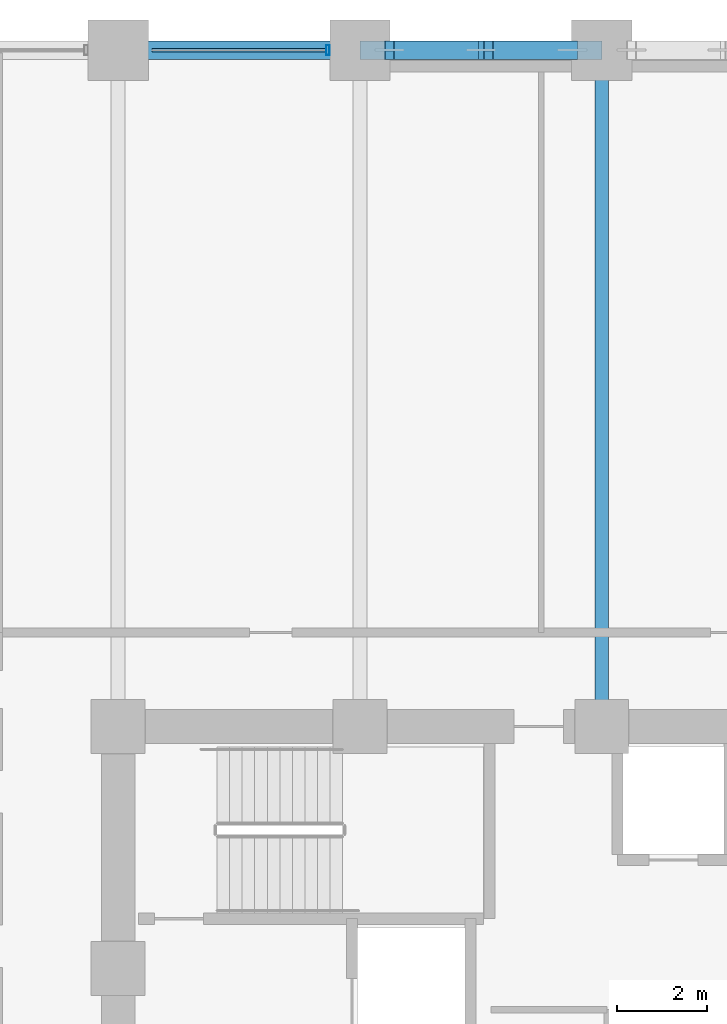
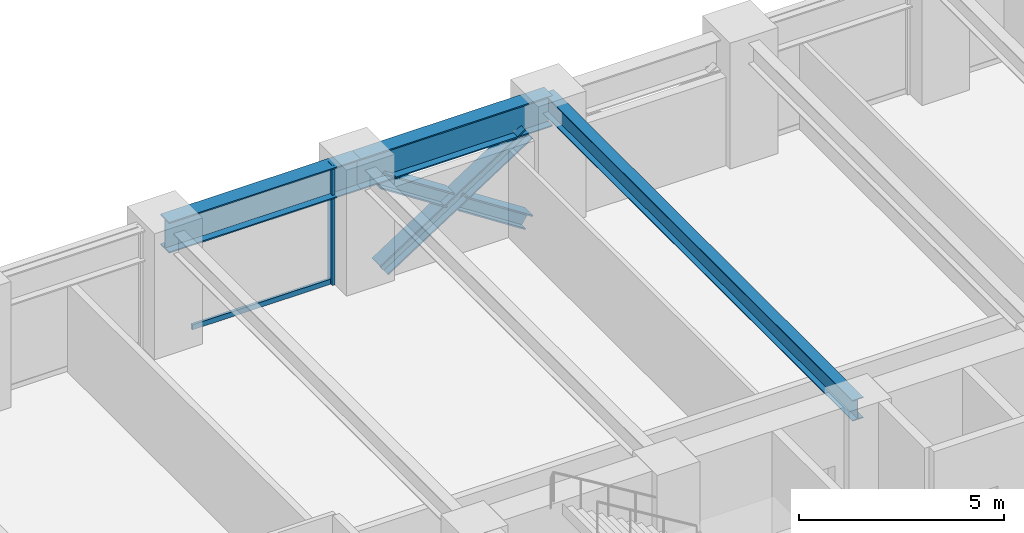
# One storey, part 13 of 25: 5 members, 3 beams, 1 element without a shape of its own.
"""IFC4 building model written with IfcOpenShell, lengths in metres."""

import ifcopenshell
import ifcopenshell.guid

model = None  # the IFC model being written
_history = None  # IfcOwnerHistory: only IFC2X3 demands one
_inside = {}  # id of a spatial element -> (the spatial element, [elements in it])
_under = {}  # id of a project, library or spatial element -> (it, [spatial elements below it])
_declared = {}  # id of a project -> (the project, [libraries it declares])
_typed = {}  # id of a type object -> (the type object, [elements of that type])
_made_of = {}  # id of a material, layer set ... -> (it, [elements and type objects made of it])


def new_model(schema):
    """Start an empty IFC model of exactly this schema.

    Asked for "IFC4X3", IfcOpenShell would pick the latest addendum, in which some entities
    have other attributes; the version numbers below select the first issue.
    IFC2X3 requires an IfcOwnerHistory on every rooted entity: one is made here for all.
    """
    global model, _history
    if schema == "IFC4X3":
        model = ifcopenshell.file(schema_version=(4, 3, 0, 0))
    else:
        model = ifcopenshell.file(schema=schema)
    _inside.clear()
    _under.clear()
    _declared.clear()
    _typed.clear()
    _made_of.clear()
    _history = None
    if model.schema == "IFC2X3":
        org = make("IfcOrganization", Name="unknown")
        user = make(
            "IfcPersonAndOrganization",
            ThePerson=make("IfcPerson", FamilyName="unknown"),
            TheOrganization=org,
        )
        app = make(
            "IfcApplication",
            ApplicationDeveloper=org,
            Version="unknown",
            ApplicationFullName="unknown",
            ApplicationIdentifier="unknown",
        )
        _history = make(
            "IfcOwnerHistory",
            OwningUser=user,
            OwningApplication=app,
            ChangeAction="ADDED",
            CreationDate=0,
        )
    return model


def make(cls, **values):
    """One entity of the class cls with the attributes given. An attribute that is None is left unset."""
    return model.create_entity(
        cls, **{name: value for name, value in values.items() if value is not None}
    )


def rooted(cls, **values):
    """An entity with a GlobalId (a new one), such as an element, a storey or a relation."""
    return make(cls, GlobalId=ifcopenshell.guid.new(), OwnerHistory=_history, **values)


def si_unit(unit_type, name, prefix=None):
    """IfcSIUnit, for example si_unit("LENGTHUNIT", "METRE", prefix="MILLI")."""
    return make("IfcSIUnit", UnitType=unit_type, Prefix=prefix, Name=name)


def assignment(units):
    """IfcUnitAssignment: the units of a project."""
    return None if units is None else make("IfcUnitAssignment", Units=units)


def point(xyz):
    """IfcCartesianPoint."""
    return None if xyz is None else make("IfcCartesianPoint", Coordinates=xyz)


def direction(xyz):
    """IfcDirection."""
    return None if xyz is None else make("IfcDirection", DirectionRatios=xyz)


def frame(location, z_axis=None, x_axis=None):
    """IfcAxis2Placement3D, a coordinate frame: its origin and axes. An axis left out is left unset."""
    return make(
        "IfcAxis2Placement3D",
        Location=point(location),
        Axis=direction(z_axis),
        RefDirection=direction(x_axis),
    )


def frame_2d(location, x_axis=None):
    """IfcAxis2Placement2D, a coordinate frame in the plane: its origin and x axis."""
    return make(
        "IfcAxis2Placement2D", Location=point(location), RefDirection=direction(x_axis)
    )


def origin():
    """The frame at (0, 0, 0) with its axes left unset."""
    return frame((0.0, 0.0, 0.0))


def origin_2d():
    """The frame at (0, 0) in the plane with its x axis left unset."""
    return frame_2d((0.0, 0.0))


def place(relative_to, where):
    """IfcLocalPlacement: puts the frame where relative to a parent placement (None: the world)."""
    return make(
        "IfcLocalPlacement", PlacementRelTo=relative_to, RelativePlacement=where
    )


def context(
    kind, dimensions, precision=None, world=None, true_north=None, identifier=None
):
    """IfcGeometricRepresentationContext, for example the 3D "Model" context."""
    return make(
        "IfcGeometricRepresentationContext",
        ContextIdentifier=identifier,
        ContextType=kind,
        CoordinateSpaceDimension=dimensions,
        Precision=precision,
        WorldCoordinateSystem=world,
        TrueNorth=true_north,
    )


def subcontext(parent, identifier, kind, view, scale=None):
    """IfcGeometricRepresentationSubContext, for example "Body" below "Model"."""
    return make(
        "IfcGeometricRepresentationSubContext",
        ContextIdentifier=identifier,
        ContextType=kind,
        ParentContext=parent,
        TargetScale=scale,
        TargetView=view,
    )


def project(units=None, contexts=None):
    """IfcProject with its units and contexts."""
    return rooted(
        "IfcProject",
        Name="project",
        RepresentationContexts=contexts,
        UnitsInContext=assignment(units),
    )


def spatial(cls, under=None, at=None, **own):
    """A site, building, storey or space (cls), placed at a placement, below another one or the project."""
    s = rooted(cls, ObjectPlacement=at, **own)
    if under is not None:
        _under.setdefault(under.id(), (under, []))[1].append(s)
    return s


def profile(cls, at=None, kind="AREA", **sizes):
    """A parametric profile (cls). Its sizes go by their IFC names, for example OverallWidth=200.0."""
    return make(cls, ProfileType=kind, Position=at, **sizes)


def hollow_rectangle(**sizes):
    """IfcRectangleHollowProfileDef."""
    return profile("IfcRectangleHollowProfileDef", **sizes)


def i_section(**sizes):
    """IfcIShapeProfileDef."""
    return profile("IfcIShapeProfileDef", **sizes)


def extrude(swept, where, along, depth):
    """IfcExtrudedAreaSolid: the profile swept, set in the frame where, extruded along a direction by depth."""
    return make(
        "IfcExtrudedAreaSolid",
        SweptArea=swept,
        Position=where,
        ExtrudedDirection=direction(along),
        Depth=depth,
    )


def shape(context_of_items, identifier, shape_type, items):
    """IfcShapeRepresentation: the items that make up one representation, for example the "Body"."""
    return make(
        "IfcShapeRepresentation",
        ContextOfItems=context_of_items,
        RepresentationIdentifier=identifier,
        RepresentationType=shape_type,
        Items=items,
    )


def material(Name=None, Category=None):
    """IfcMaterial."""
    return make("IfcMaterial", Name=Name, Category=Category)


def layer(
    of_material, thickness, ventilated=None, Name=None, Category=None, Priority=None
):
    """IfcMaterialLayer: one layer of a wall or slab, of a material (None: an air gap)."""
    return make(
        "IfcMaterialLayer",
        Material=of_material,
        LayerThickness=thickness,
        IsVentilated=ventilated,
        Name=Name,
        Category=Category,
        Priority=Priority,
    )


def layer_set(layers, Name=None):
    """IfcMaterialLayerSet."""
    return make("IfcMaterialLayerSet", MaterialLayers=layers, LayerSetName=Name)


def material_profile(
    of_material, cross_section, Name=None, Category=None, Priority=None
):
    """IfcMaterialProfile: a cross section and its material."""
    return make(
        "IfcMaterialProfile",
        Name=Name,
        Material=of_material,
        Profile=cross_section,
        Priority=Priority,
        Category=Category,
    )


def profile_set(profiles, Name=None, composite=None):
    """IfcMaterialProfileSet."""
    return make(
        "IfcMaterialProfileSet",
        Name=Name,
        MaterialProfiles=profiles,
        CompositeProfile=composite,
    )


def made_of(thing, what):
    """Note that an element or type object is made of a material, layer set ...; save() writes the relation."""
    if what is not None:
        _made_of.setdefault(what.id(), (what, []))[1].append(thing)
    return thing


def type_object(cls, material=None, **own):
    """A type object (cls), such as IfcWallType, which elements share."""
    return made_of(rooted(cls, **own), material)


def element(
    cls,
    number,
    at=None,
    inside=None,
    cuts=None,
    type_object=None,
    material=None,
    context=None,
    identifier="Body",
    shape_type=None,
    held_by="IfcProductDefinitionShape",
    body=None,
    shapes=None,
    **own,
):
    """One element of the class cls, such as IfcWall. Its Tag is "e" and its number.

    at: its placement. inside: the storey or other place that contains it. cuts: it is an
    opening in that element (IfcRelVoidsElement). A single representation is given by context,
    identifier, shape_type and body (its items); several are given by shapes. held_by: the class
    of the entity that holds the representations. save() writes the other relations.
    """
    e = rooted(cls, Tag="e%d" % number, ObjectPlacement=at, **own)
    if body is not None:
        shapes = [shape(context, identifier, shape_type, body)]
    if shapes is not None:
        e.Representation = make(held_by, Representations=shapes)
    if inside is not None:
        _inside.setdefault(inside.id(), (inside, []))[1].append(e)
    if cuts is not None:
        rooted(
            "IfcRelVoidsElement", RelatingBuildingElement=cuts, RelatedOpeningElement=e
        )
    if type_object is not None:
        _typed.setdefault(type_object.id(), (type_object, []))[1].append(e)
    return made_of(e, material)


def aggregate(whole, parts):
    """IfcRelAggregates: a whole, such as a stair, and the parts it consists of."""
    return rooted("IfcRelAggregates", RelatingObject=whole, RelatedObjects=parts)


def save(model, path):
    """Write the relations noted so far, then the file.

    IfcRelAggregates (storeys below a building ...), IfcRelContainedInSpatialStructure (elements
    in a storey), IfcRelDefinesByType, IfcRelAssociatesMaterial and IfcRelDeclares: one each for
    every whole, place, type object, material and project.
    """
    for whole, parts in _under.values():
        aggregate(whole, parts)
    for where, things in _inside.values():
        rooted(
            "IfcRelContainedInSpatialStructure",
            RelatedElements=things,
            RelatingStructure=where,
        )
    for kind, things in _typed.values():
        rooted("IfcRelDefinesByType", RelatedObjects=things, RelatingType=kind)
    for what, things in _made_of.values():
        rooted("IfcRelAssociatesMaterial", RelatedObjects=things, RelatingMaterial=what)
    for by, libraries in _declared.values():
        rooted("IfcRelDeclares", RelatingContext=by, RelatedDefinitions=libraries)
    model.write(path)


model = new_model("IFC4")

# Units and contexts
model_context = context("Model", 3, precision=1e-05, world=origin(), true_north=direction((0.0, 1.0)))
body_context = subcontext(model_context, "Body", "Model", "MODEL_VIEW")
ifc_project = project(units=[si_unit("LENGTHUNIT", "METRE"), si_unit("AREAUNIT", "SQUARE_METRE"), si_unit("VOLUMEUNIT", "CUBIC_METRE"), si_unit("PLANEANGLEUNIT", "RADIAN"), si_unit("MASSUNIT", "GRAM", prefix="KILO")], contexts=[model_context])

# Site, building, storey
site_placement = place(None, origin())
site = spatial("IfcSite", under=ifc_project, at=site_placement, CompositionType="ELEMENT")
building_placement = place(site_placement, origin())
building = spatial("IfcBuilding", under=site, at=building_placement, Name="Surkhivell Harbour Commons", CompositionType="ELEMENT")
storey_placement = place(building_placement, frame((0.0, 0.0, 33.75)))
storey = spatial("IfcBuildingStorey", under=building, at=storey_placement, Name="L08", CompositionType="ELEMENT", Elevation=33.75)

# Beams
ifc_material_1 = material(Name="Steel S355", Category="steel")
ifc_material_profile_1 = material_profile(ifc_material_1, i_section(OverallWidth=0.306884765625, OverallDepth=0.6201171875, WebThickness=0.01416015625, FlangeThickness=0.023681640625, at=origin_2d()), Name="UB610x305x179")
ifc_profile_set_1 = profile_set([ifc_material_profile_1], Name="Steel S355")
beam_type_1 = type_object("IfcBeamType", Name="BM-GRD-610A", PredefinedType="BEAM", material=ifc_profile_set_1)
beam_1_placement = place(storey_placement, frame((0.0, 10.800048828125, 3.260009765625), z_axis=(0.0, 1.0, 0.0), x_axis=(-1.0, 0.0, 0.0)))
element("IfcBeam", 1, at=beam_1_placement, inside=storey, type_object=beam_type_1, Name="L08 Floor Girder (0.0,10.8)", PredefinedType="BEAM", context=body_context, shape_type="SweptSolid", body=[
    extrude(i_section(OverallWidth=0.306884765625, OverallDepth=0.6201171875, WebThickness=0.01416015625, FlangeThickness=0.023681640625, at=origin_2d()), origin(), (0.0, 0.0, 1.0), 15.099853515625),
])
ifc_material_2 = material(Name="Steel S460", Category="steel")
ifc_material_profile_2 = material_profile(ifc_material_2, i_section(OverallWidth=0.419921875, OverallDepth=0.9208984375, WebThickness=0.021484375, FlangeThickness=0.03662109375, at=origin_2d()), Name="UB914x419x388")
ifc_profile_set_2 = profile_set([ifc_material_profile_2], Name="Steel S460")
beam_type_2 = type_object("IfcBeamType", Name="BM-SPN-914A", PredefinedType="SPANDREL", material=ifc_profile_set_2)
beam_2_placement = place(storey_placement, frame((-10.800048828125, 25.89990234375, 3.109619140625), z_axis=(1.0, 0.0, 0.0), x_axis=(0.0, 1.0, 0.0)))
element("IfcBeam", 2, at=beam_2_placement, inside=storey, type_object=beam_type_2, Name="L08 Tube Spandrel (-10.8,25.9)", PredefinedType="SPANDREL", context=body_context, shape_type="SweptSolid", body=[
    extrude(i_section(OverallWidth=0.419921875, OverallDepth=0.9208984375, WebThickness=0.021484375, FlangeThickness=0.03662109375, at=origin_2d()), origin(), (0.0, 0.0, 1.0), 5.400146484375),
])
beam_3_placement = place(storey_placement, frame((-5.39990234375, 25.89990234375, 3.109619140625), z_axis=(1.0, 0.0, 0.0), x_axis=(0.0, 1.0, 0.0)))
element("IfcBeam", 3, at=beam_3_placement, inside=storey, type_object=beam_type_2, Name="L08 Tube Spandrel (-5.4,25.9)", PredefinedType="SPANDREL", context=body_context, shape_type="SweptSolid", body=[
    extrude(i_section(OverallWidth=0.419921875, OverallDepth=0.9208984375, WebThickness=0.021484375, FlangeThickness=0.03662109375, at=origin_2d()), origin(), (0.0, 0.0, 1.0), 5.39990234375),
])

# Curtain wall, members
ifc_material_3 = material(Name="Anodised pale-metal aluminium and insulated glazing", Category="aluminium")
ifc_layer = layer(ifc_material_3, 0.219970703125)
ifc_layer_set = layer_set([ifc_layer], Name="Anodised pale-metal aluminium and insulated glazing")
curtain_wall_type = type_object("IfcCurtainWallType", Name="CW-SYS-Z1", PredefinedType="NOTDEFINED", material=ifc_layer_set)
curtain_wall_placement = place(storey_placement, origin())
curtain_wall = element("IfcCurtainWall", 4, at=curtain_wall_placement, inside=storey, type_object=curtain_wall_type, Name="L08 Curtain Wall CW-L08-E07S2", PredefinedType="NOTDEFINED")
ifc_material_4 = material(Name="Anodised pale-metal aluminium alloy 6063-T6", Category="aluminium")
ifc_material_profile_3 = material_profile(ifc_material_4, hollow_rectangle(XDim=0.074951171875, YDim=0.219970703125, WallThickness=0.00390625, at=origin_2d()), Name="ALU-MULL-75x220")
ifc_profile_set_3 = profile_set([ifc_material_profile_3], Name="Anodised pale-metal aluminium alloy 6063-T6")
member_type_1 = type_object("IfcMemberType", Name="CWM-220", PredefinedType="MULLION", material=ifc_profile_set_3)
member_1_placement = place(storey_placement, frame((-6.114501953125, 25.89990234375, 0.0), z_axis=(0.0, 0.0, 1.0), x_axis=(-1.0, 0.0, 0.0)))
member_1 = element("IfcMember", 5, at=member_1_placement, type_object=member_type_1, Name="CW-Z1 mullion 1", PredefinedType="MULLION", context=body_context, shape_type="SweptSolid", body=[
    extrude(hollow_rectangle(XDim=0.074951171875, YDim=0.219970703125, WallThickness=0.00390625, at=origin_2d()), origin(), (0.0, 0.0, 1.0), 3.570068359375),
])
ifc_material_profile_4 = material_profile(ifc_material_4, hollow_rectangle(XDim=0.074951171875, YDim=0.14990234375, WallThickness=0.00341796875, at=origin_2d()), Name="ALU-TRAN-75x150")
ifc_profile_set_4 = profile_set([ifc_material_profile_4], Name="Anodised pale-metal aluminium alloy 6063-T6")
member_type_2 = type_object("IfcMemberType", Name="CWT-150", PredefinedType="USERDEFINED", material=ifc_profile_set_4)
member_2_placement = place(storey_placement, frame((-6.152099609375, 25.89990234375, 0.074951171875), z_axis=(-1.0, 0.0, 0.0), x_axis=(0.0, -1.0, 0.0)))
member_2 = element("IfcMember", 6, at=member_2_placement, type_object=member_type_2, Name="CW-Z1 transom 1.1", ObjectType="TRANSOM", PredefinedType="USERDEFINED", context=body_context, shape_type="SweptSolid", body=[
    extrude(hollow_rectangle(XDim=0.074951171875, YDim=0.14990234375, WallThickness=0.00341796875, at=origin_2d()), origin(), (0.0, 0.0, 1.0), 3.89599609375),
])
aggregate(curtain_wall, [member_1, member_2])

# Members
ifc_material_profile_5 = material_profile(ifc_material_2, i_section(OverallWidth=0.406005859375, OverallDepth=0.416015625, WebThickness=0.026611328125, FlangeThickness=0.0390625, at=origin_2d()), Name="HD400x382")
ifc_profile_set_5 = profile_set([ifc_material_profile_5], Name="Steel S460")
member_type_3 = type_object("IfcMemberType", Name="MEM-BRC-HD382", PredefinedType="BRACE", material=ifc_profile_set_5)
member_3_placement = place(storey_placement, frame((-4.739990234375, 25.89990234375, 0.008056640625), z_axis=(0.83910375559, 0.0, 0.543971403067), x_axis=(0.0, 1.0, 0.0)))
element("IfcMember", 7, at=member_3_placement, inside=storey, type_object=member_type_3, Name="L08 Perimeter Mega-Brace MB- 01", PredefinedType="BRACE", context=body_context, shape_type="SweptSolid", body=[
    extrude(i_section(OverallWidth=0.406005859375, OverallDepth=0.416015625, WebThickness=0.026611328125, FlangeThickness=0.0390625, at=origin_2d()), origin(), (0.0, 0.0, 1.0), 4.8623046875),
])
member_4_placement = place(storey_placement, frame((-0.659912109375, 25.89990234375, 0.008056640625), z_axis=(-0.839117847051, 0.0, 0.54394966565), x_axis=(0.0, -1.0, 0.0)))
element("IfcMember", 8, at=member_4_placement, inside=storey, type_object=member_type_3, Name="L08 Perimeter Mega-Brace MB- 02", PredefinedType="BRACE", context=body_context, shape_type="SweptSolid", body=[
    extrude(i_section(OverallWidth=0.406005859375, OverallDepth=0.416015625, WebThickness=0.026611328125, FlangeThickness=0.0390625, at=origin_2d()), origin(), (0.0, 0.0, 1.0), 2.231689453125),
])
member_5_placement = place(storey_placement, frame((-2.86767578125, 25.89990234375, 1.439208984375), z_axis=(-0.83908547242, 0.0, 0.543999604756), x_axis=(0.0, -1.0, 0.0)))
element("IfcMember", 9, at=member_5_placement, inside=storey, type_object=member_type_3, Name="L08 Perimeter Mega-Brace MB- 03", PredefinedType="BRACE", context=body_context, shape_type="SweptSolid", body=[
    extrude(i_section(OverallWidth=0.406005859375, OverallDepth=0.416015625, WebThickness=0.026611328125, FlangeThickness=0.0390625, at=origin_2d()), origin(), (0.0, 0.0, 1.0), 2.2314453125),
])

save(model, "model.ifc")
